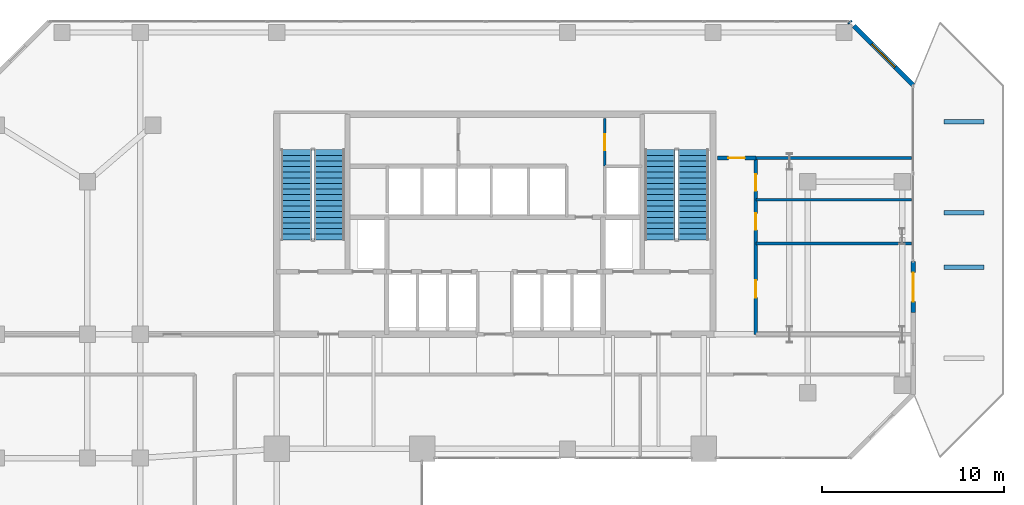
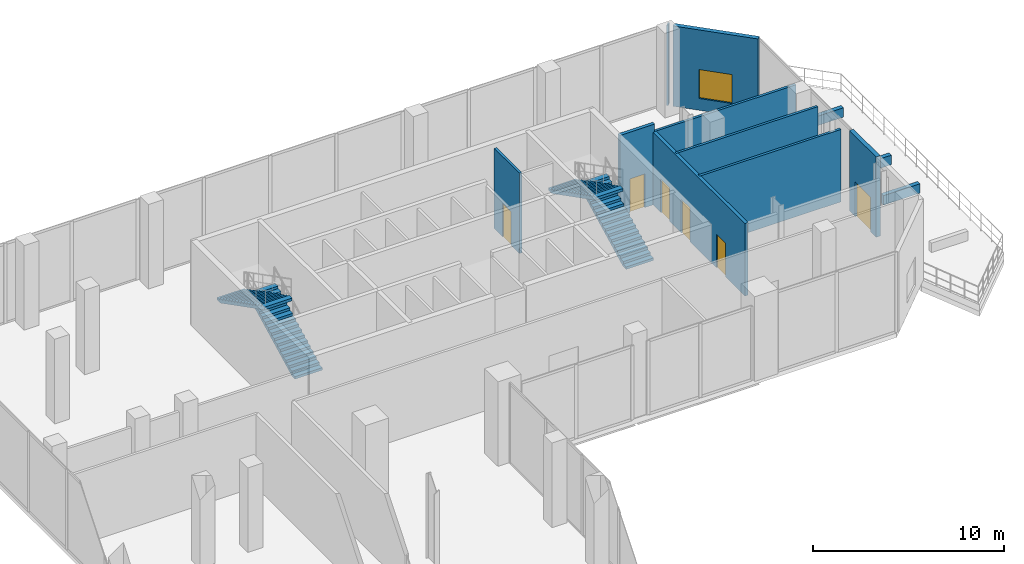
# One storey, part 22 of 24: 12 walls, 6 doors, 4 stair flights, 1 window, 7 openings, 2 elements without a shape of their own.
"""IFC4 building model written with IfcOpenShell, lengths in metres."""

from ifc_helpers import new_model, si_unit, direction, frame, frame_2d, origin, place, context, subcontext, project, spatial, polyline, rectangle, outline, extrude, material, layer, layer_set, type_object, element, fill, aggregate, save


model = new_model("IFC4")

# Units and contexts
model_context = context("Model", 3, precision=1e-05, world=origin(), true_north=direction((0.0, 1.0)))
body_context = subcontext(model_context, "Body", "Model", "MODEL_VIEW")
ifc_project = project(units=[si_unit("LENGTHUNIT", "METRE"), si_unit("AREAUNIT", "SQUARE_METRE"), si_unit("VOLUMEUNIT", "CUBIC_METRE"), si_unit("PLANEANGLEUNIT", "RADIAN"), si_unit("MASSUNIT", "GRAM", prefix="KILO")], contexts=[model_context])

# Site, building, storey
site_placement = place(None, origin())
site = spatial("IfcSite", under=ifc_project, at=site_placement, CompositionType="ELEMENT")
building_placement = place(site_placement, origin())
building = spatial("IfcBuilding", under=site, at=building_placement, Name="Catumbela Crestline Tower", CompositionType="ELEMENT")
storey_placement = place(building_placement, frame((0.0, 0.0, 84.6)))
storey = spatial("IfcBuildingStorey", under=building, at=storey_placement, Name="L21", CompositionType="ELEMENT", Elevation=84.6)

# Wall, openings, doors
ifc_material_1 = material(Name="Acoustic gypsum and mineral-wool partition")
ifc_layer_1 = layer(ifc_material_1, 0.2, Name="Acoustic gypsum and mineral-wool partition")
ifc_layer_set_1 = layer_set([ifc_layer_1], Name="Acoustic gypsum and mineral-wool partition")
wall_type_1 = type_object("IfcWallType", Name="WC-200", PredefinedType="PARTITIONING", material=ifc_layer_set_1)
wall_1_placement = place(storey_placement, frame((42.35, 30.8, 0.0), z_axis=(0.0, 0.0, 1.0), x_axis=(0.0, 1.0, 0.0)))
wall_1 = element("IfcWall", 1, at=wall_1_placement, inside=storey, type_object=wall_type_1, Name="L21 Interior Partition PW-L21-ELNG", PredefinedType="PARTITIONING", context=body_context, shape_type="SweptSolid", body=[
    extrude(rectangle(XDim=9.7, YDim=0.2, at=frame_2d((4.85, 0.0))), origin(), (0.0, 0.0, 1.0), 4.63),
])
opening_1_placement = place(wall_1_placement, frame((2.025, 0.0, 0.0)))
opening_1 = element("IfcOpeningElement", 2, at=opening_1_placement, cuts=wall_1, Name="Opening DF6-095", PredefinedType="OPENING", context=body_context, shape_type="SweptSolid", body=[
    extrude(rectangle(XDim=0.95, YDim=2.15, at=frame_2d((0.475, 1.075))), frame((0.0, 0.11, 0.0), z_axis=(0.0, -1.0, 0.0), x_axis=(1.0, 0.0, 0.0)), (0.0, 0.0, 1.0), 0.22),
])
opening_2_placement = place(wall_1_placement, frame((5.75, 0.0, 0.0)))
opening_2 = element("IfcOpeningElement", 3, at=opening_2_placement, cuts=wall_1, Name="Opening DI-090", PredefinedType="OPENING", context=body_context, shape_type="SweptSolid", body=[
    extrude(rectangle(XDim=0.9, YDim=2.15, at=frame_2d((0.45, 1.075))), frame((0.0, 0.11, 0.0), z_axis=(0.0, -1.0, 0.0), x_axis=(1.0, 0.0, 0.0)), (0.0, 0.0, 1.0), 0.22),
])
opening_3_placement = place(wall_1_placement, frame((7.8933, 0.0, 0.0)))
opening_3 = element("IfcOpeningElement", 4, at=opening_3_placement, cuts=wall_1, Name="Opening DI-090", PredefinedType="OPENING", context=body_context, shape_type="SweptSolid", body=[
    extrude(rectangle(XDim=0.9, YDim=2.15, at=frame_2d((0.45, 1.075))), frame((0.0, 0.11, 0.0), z_axis=(0.0, -1.0, 0.0), x_axis=(1.0, 0.0, 0.0)), (0.0, 0.0, 1.0), 0.22),
])
ifc_material_2 = material(Name="Aluminium alloy AW-6060-T66", Category="aluminium")
door_type_1 = type_object("IfcDoorType", Name="DF6-095", OperationType="NOTDEFINED", PredefinedType="DOOR", material=ifc_material_2)
door_1_placement = place(opening_1_placement, origin())
door_1 = element("IfcDoor", 5, at=door_1_placement, inside=storey, type_object=door_type_1, Name="L21 Interior Door DR-L21-ELNG", OperationType="SINGLE_SWING_RIGHT", OverallHeight=2.15, OverallWidth=0.95, PredefinedType="DOOR", context=body_context, shape_type="SweptSolid", body=[
    extrude(rectangle(XDim=0.95, YDim=2.15, at=frame_2d((0.475, 1.075))), frame((0.0, 0.025, 0.0), z_axis=(0.0, -1.0, 0.0), x_axis=(1.0, 0.0, 0.0)), (0.0, 0.0, 1.0), 0.05),
])
fill(opening_1, door_1)
door_type_2 = type_object("IfcDoorType", Name="DI-090", OperationType="NOTDEFINED", PredefinedType="DOOR", material=ifc_material_2)
door_2_placement = place(opening_2_placement, origin())
door_2 = element("IfcDoor", 6, at=door_2_placement, inside=storey, type_object=door_type_2, Name="L21 Interior Door DR-L21-WC", OperationType="SINGLE_SWING_RIGHT", OverallHeight=2.15, OverallWidth=0.9, PredefinedType="DOOR", context=body_context, shape_type="SweptSolid", body=[
    extrude(rectangle(XDim=0.9, YDim=2.15, at=frame_2d((0.45, 1.075))), frame((0.0, 0.025, 0.0), z_axis=(0.0, -1.0, 0.0), x_axis=(1.0, 0.0, 0.0)), (0.0, 0.0, 1.0), 0.05),
])
fill(opening_2, door_2)
door_3_placement = place(opening_3_placement, origin())
door_3 = element("IfcDoor", 7, at=door_3_placement, inside=storey, type_object=door_type_2, Name="L21 Interior Door DR-L21-AWC", OperationType="SINGLE_SWING_RIGHT", OverallHeight=2.15, OverallWidth=0.9, PredefinedType="DOOR", context=body_context, shape_type="SweptSolid", body=[
    extrude(rectangle(XDim=0.9, YDim=2.15, at=frame_2d((0.45, 1.075))), frame((0.0, 0.025, 0.0), z_axis=(0.0, -1.0, 0.0), x_axis=(1.0, 0.0, 0.0)), (0.0, 0.0, 1.0), 0.05),
])
fill(opening_3, door_3)

# Wall, opening, door
wall_2_placement = place(storey_placement, frame((40.25, 40.5, 0.0), z_axis=(0.0, 0.0, 1.0), x_axis=(1.0, 0.0, 0.0)))
wall_2 = element("IfcWall", 8, at=wall_2_placement, inside=storey, type_object=wall_type_1, Name="L21 Interior Partition PW-L21-SKSTO", PredefinedType="PARTITIONING", context=body_context, shape_type="SweptSolid", body=[
    extrude(rectangle(XDim=2.1, YDim=0.2, at=frame_2d((1.05, 0.0))), origin(), (0.0, 0.0, 1.0), 5.13),
])
opening_4_placement = place(wall_2_placement, frame((0.6, 0.0, 0.0)))
opening_4 = element("IfcOpeningElement", 9, at=opening_4_placement, cuts=wall_2, Name="Opening DF9-090", PredefinedType="OPENING", context=body_context, shape_type="SweptSolid", body=[
    extrude(rectangle(XDim=0.9, YDim=2.15, at=frame_2d((0.45, 1.075))), frame((0.0, 0.11, 0.0), z_axis=(0.0, -1.0, 0.0), x_axis=(1.0, 0.0, 0.0)), (0.0, 0.0, 1.0), 0.22),
])
ifc_material_3 = material(Name="Stainless steel EN 1.4401", Category="steel")
door_type_3 = type_object("IfcDoorType", Name="DF9-090", OperationType="NOTDEFINED", PredefinedType="DOOR", material=ifc_material_3)
door_4_placement = place(opening_4_placement, origin())
door_4 = element("IfcDoor", 10, at=door_4_placement, inside=storey, type_object=door_type_3, Name="L21 Interior Door DR-L21-SKSTO", OperationType="SINGLE_SWING_LEFT", OverallHeight=2.15, OverallWidth=0.9, PredefinedType="DOOR", context=body_context, shape_type="SweptSolid", body=[
    extrude(rectangle(XDim=0.9, YDim=2.15, at=frame_2d((0.45, 1.075))), frame((0.0, 0.025, 0.0), z_axis=(0.0, -1.0, 0.0), x_axis=(1.0, 0.0, 0.0)), (0.0, 0.0, 1.0), 0.05),
])
fill(opening_4, door_4)

ifc_material_4 = material(Name="Angolan grey-ochre granite", Category="masonry")
ifc_layer_2 = layer(ifc_material_4, 0.25, Name="Angolan grey-ochre granite")
ifc_layer_set_2 = layer_set([ifc_layer_2], Name="Angolan grey-ochre granite")
wall_type_2 = type_object("IfcWallType", Name="WE-250", PredefinedType="STANDARD", material=ifc_layer_set_2)
wall_3_placement = place(storey_placement, frame((51.0, 32.0, 0.0), z_axis=(0.0, 0.0, 1.0), x_axis=(0.0, 1.0, 0.0)))
wall_3 = element("IfcWall", 11, at=wall_3_placement, inside=storey, type_object=wall_type_2, Name="L21 Exterior Threshold Portal Wall DR-L21-TER-E", PredefinedType="STANDARD", context=body_context, shape_type="SweptSolid", body=[
    extrude(rectangle(XDim=2.8, YDim=0.25, at=frame_2d((1.4, 0.0))), origin(), (0.0, 0.0, 1.0), 5.13),
])
opening_5_placement = place(wall_3_placement, frame((0.6, 0.0, 0.0)))
opening_5 = element("IfcOpeningElement", 12, at=opening_5_placement, cuts=wall_3, Name="Opening DT-02", PredefinedType="OPENING", context=body_context, shape_type="SweptSolid", body=[
    extrude(rectangle(XDim=1.6, YDim=2.2, at=frame_2d((0.8, 1.1))), frame((0.0, 0.135, 0.0), z_axis=(0.0, -1.0, 0.0), x_axis=(1.0, 0.0, 0.0)), (0.0, 0.0, 1.0), 0.27),
])
door_type_4 = type_object("IfcDoorType", Name="DT-1600", OperationType="NOTDEFINED", PredefinedType="DOOR", material=ifc_material_2)
door_5_placement = place(opening_5_placement, origin())
door_5 = element("IfcDoor", 13, at=door_5_placement, inside=storey, type_object=door_type_4, Name="L21 East Sky-Garden Terrace Door", OperationType="DOUBLE_DOOR_SINGLE_SWING", OverallHeight=2.2, OverallWidth=1.6, PredefinedType="DOOR", context=body_context, shape_type="SweptSolid", body=[
    extrude(rectangle(XDim=1.6, YDim=2.2, at=frame_2d((0.8, 1.1))), frame((0.0, 0.025, 0.0), z_axis=(0.0, -1.0, 0.0), x_axis=(1.0, 0.0, 0.0)), (0.0, 0.0, 1.0), 0.05),
])
fill(opening_5, door_5)

# Wall, opening, window
wall_4_placement = place(storey_placement, frame((51.0, 44.5, 0.0), z_axis=(0.0, 0.0, 1.0), x_axis=(-0.707106781187, 0.707106781187, 0.0)))
wall_4 = element("IfcWall", 14, at=wall_4_placement, inside=storey, type_object=wall_type_2, Name="L21 Granite Punched Window Wall 6-1", PredefinedType="STANDARD", context=body_context, shape_type="SweptSolid", body=[
    extrude(rectangle(XDim=4.6126, YDim=0.25, at=frame_2d((2.3063, 0.0))), origin(), (0.0, 0.0, 1.0), 5.13),
])
opening_6_placement = place(wall_4_placement, frame((1.4063, 0.0, 0.75)))
opening_6 = element("IfcOpeningElement", 15, at=opening_6_placement, cuts=wall_4, Name="Opening WN-01", PredefinedType="OPENING", context=body_context, shape_type="SweptSolid", body=[
    extrude(rectangle(XDim=1.8, YDim=1.85, at=frame_2d((0.9, 0.925))), frame((0.0, 0.135, 0.0), z_axis=(0.0, -1.0, 0.0), x_axis=(1.0, 0.0, 0.0)), (0.0, 0.0, 1.0), 0.27),
])
ifc_material_5 = material(Name="Low-E laminated solar-control double glazing", Category="glass")
window_type = type_object("IfcWindowType", Name="WF-1800", PartitioningType="SINGLE_PANEL", PredefinedType="WINDOW", material=ifc_material_5)
window_placement = place(opening_6_placement, origin())
window = element("IfcWindow", 16, at=window_placement, inside=storey, type_object=window_type, Name="L21 Facade Vision Window 127", OverallHeight=1.85, OverallWidth=1.8, PartitioningType="SINGLE_PANEL", PredefinedType="WINDOW", context=body_context, shape_type="SweptSolid", body=[
    extrude(rectangle(XDim=1.8, YDim=1.85, at=frame_2d((0.9, 0.925))), frame((0.0, 0.03, 0.0), z_axis=(0.0, -1.0, 0.0), x_axis=(1.0, 0.0, 0.0)), (0.0, 0.0, 1.0), 0.06),
])
fill(opening_6, window)

# Wall
wall_5_placement = place(storey_placement, frame((47.5616, 47.9384, 0.0), z_axis=(0.0, 0.0, 1.0), x_axis=(-0.707106781187, 0.707106781187, 0.0)))
element("IfcWall", 17, at=wall_5_placement, inside=storey, type_object=wall_type_2, Name="L21 Granite Punched Window Wall 6-2", PredefinedType="STANDARD", context=body_context, shape_type="SweptSolid", body=[
    extrude(rectangle(XDim=0.0871, YDim=0.25, at=frame_2d((0.0436, 0.0))), origin(), (0.0, 0.0, 1.0), 5.13),
])

# Wall, opening, door
ifc_layer_3 = layer(ifc_material_1, 0.15, Name="Acoustic gypsum and mineral-wool partition")
ifc_layer_set_3 = layer_set([ifc_layer_3], Name="Acoustic gypsum and mineral-wool partition")
wall_type_3 = type_object("IfcWallType", Name="WP-150", PredefinedType="PARTITIONING", material=ifc_layer_set_3)
wall_6_placement = place(storey_placement, frame((34.05, 40.05, 0.0), z_axis=(0.0, 0.0, 1.0), x_axis=(0.0, 1.0, 0.0)))
wall_6 = element("IfcWall", 18, at=wall_6_placement, inside=storey, type_object=wall_type_3, Name="L21 Interior Partition PW-L21-CR-EW", PredefinedType="PARTITIONING", context=body_context, shape_type="SweptSolid", body=[
    extrude(rectangle(XDim=2.63, YDim=0.15, at=frame_2d((1.315, 0.0))), origin(), (0.0, 0.0, 1.0), 5.13),
])
opening_7_placement = place(wall_6_placement, frame((0.865, 0.0, 0.0)))
opening_7 = element("IfcOpeningElement", 19, at=opening_7_placement, cuts=wall_6, Name="Opening DF9-090", PredefinedType="OPENING", context=body_context, shape_type="SweptSolid", body=[
    extrude(rectangle(XDim=0.9, YDim=2.15, at=frame_2d((0.45, 1.075))), frame((0.0, 0.085, 0.0), z_axis=(0.0, -1.0, 0.0), x_axis=(1.0, 0.0, 0.0)), (0.0, 0.0, 1.0), 0.17),
])
door_6_placement = place(opening_7_placement, origin())
door_6 = element("IfcDoor", 20, at=door_6_placement, inside=storey, type_object=door_type_3, Name="L21 Interior Door DR-L21-CREAST", OperationType="SINGLE_SWING_RIGHT", OverallHeight=2.15, OverallWidth=0.9, PredefinedType="DOOR", context=body_context, shape_type="SweptSolid", body=[
    extrude(rectangle(XDim=0.9, YDim=2.15, at=frame_2d((0.45, 1.075))), frame((0.0, 0.025, 0.0), z_axis=(0.0, -1.0, 0.0), x_axis=(1.0, 0.0, 0.0)), (0.0, 0.0, 1.0), 0.05),
])
fill(opening_7, door_6)

# Walls
for number, where, z_axis, x_axis, name in (
    (21, (42.35, 35.8, 0.0), (0.0, 0.0, 1.0), (1.0, 0.0, 0.0), "L21 Interior Partition PW-L21-ELNGN"),
    (22, (42.35, 38.2, 0.0), (0.0, 0.0, 1.0), (1.0, 0.0, 0.0), "L21 Interior Partition PW-L21-WCM"),
    (23, (42.35, 40.5, 0.0), (0.0, 0.0, 1.0), (1.0, 0.0, 0.0), "L21 Interior Partition PW-L21-WCN"),
):
    element("IfcWall", number, at=place(storey_placement, frame(where, z_axis=z_axis, x_axis=x_axis)), inside=storey, type_object=wall_type_3, Name=name, PredefinedType="PARTITIONING", context=body_context, shape_type="SweptSolid", body=[
        extrude(rectangle(XDim=8.55, YDim=0.15, at=frame_2d((4.275, 0.0))), origin(), (0.0, 0.0, 1.0), 4.63),
    ])
ifc_material_6 = material(Name="Concrete C40/50", Category="concrete")
ifc_layer_4 = layer(ifc_material_6, 0.25, Name="Concrete C40/50")
ifc_layer_set_4 = layer_set([ifc_layer_4], Name="Concrete C40/50")
wall_type_4 = type_object("IfcWallType", Name="WPL-250", PredefinedType="USERDEFINED", material=ifc_layer_set_4)
for number, where, z_axis, x_axis, name in (
    (24, (52.7, 34.5, -0.02), (0.0, 0.0, 1.0), (1.0, 0.0, 0.0), "L21 Planted Sky-Garden GRC Planter Kerb 6"),
    (25, (52.7, 37.5, -0.02), (0.0, 0.0, 1.0), (1.0, 0.0, 0.0), "L21 Planted Sky-Garden GRC Planter Kerb 7"),
    (26, (52.7, 42.5, -0.02), (0.0, 0.0, 1.0), (1.0, 0.0, 0.0), "L21 Planted Sky-Garden GRC Planter Kerb 8"),
):
    element("IfcWall", number, at=place(storey_placement, frame(where, z_axis=z_axis, x_axis=x_axis)), inside=storey, type_object=wall_type_4, Name=name, ObjectType="PLANTER", PredefinedType="USERDEFINED", context=body_context, shape_type="SweptSolid", body=[
        extrude(rectangle(XDim=2.2, YDim=0.25, at=frame_2d((1.1, 0.0))), origin(), (0.0, 0.0, 1.0), 0.6),
    ])

# Stair, stair flights
ifc_material_7 = material(Name="Concrete C45/55", Category="concrete")
stair_type = type_object("IfcStairType", Name="ST-DLG", PredefinedType="HALF_TURN_STAIR", material=ifc_material_7)
stair_1_placement = place(storey_placement, origin())
stair_1 = element("IfcStair", 27, at=stair_1_placement, inside=storey, type_object=stair_type, Name="L21 West Core Pressurised Exit Stair ST-01", PredefinedType="HALF_TURN_STAIR")
stair_flight_type = type_object("IfcStairFlightType", Name="SF-1588", PredefinedType="STRAIGHT", material=ifc_material_7)
stair_flight_1_placement = place(storey_placement, frame((18.92, 36.0, 0.0), z_axis=(0.0, 0.0, 1.0), x_axis=(0.0, 1.0, 0.0)))
stair_flight_1 = element("IfcStairFlight", 28, at=stair_flight_1_placement, type_object=stair_flight_type, Name="ST-01 flight 1", NumberOfRisers=17, NumberOfTreads=16, PredefinedType="STRAIGHT", RiserHeight=0.158823529, TreadLength=0.31, context=body_context, shape_type="SweptSolid", body=[
    extrude(outline(polyline([(0.0, 0.0), (0.0, 0.1588), (0.31, 0.1588), (0.31, 0.3176), (0.62, 0.3176), (0.62, 0.4765), (0.93, 0.4765), (0.93, 0.6353), (1.24, 0.6353), (1.24, 0.7941), (1.55, 0.7941), (1.55, 0.9529), (1.86, 0.9529), (1.86, 1.1118), (2.17, 1.1118), (2.17, 1.2706), (2.48, 1.2706), (2.48, 1.4294), (2.79, 1.4294), (2.79, 1.5882), (3.1, 1.5882), (3.1, 1.7471), (3.41, 1.7471), (3.41, 1.9059), (3.72, 1.9059), (3.72, 2.0647), (4.03, 2.0647), (4.03, 2.2235), (4.34, 2.2235), (4.34, 2.3824), (4.65, 2.3824), (4.65, 2.5412), (4.96, 2.5412), (4.96, 2.7), (4.96, 2.3614), (0.3509, 0.0), (0.0, 0.0)])), frame((0.0, 0.83, 0.0), z_axis=(0.0, -1.0, 0.0), x_axis=(1.0, 0.0, 0.0)), (0.0, 0.0, 1.0), 1.66),
])
stair_flight_2_placement = place(storey_placement, frame((17.08, 40.96, 2.7), z_axis=(0.0, 0.0, 1.0), x_axis=(0.0, -1.0, 0.0)))
stair_flight_2 = element("IfcStairFlight", 29, at=stair_flight_2_placement, type_object=stair_flight_type, Name="ST-01 flight 2", NumberOfRisers=17, NumberOfTreads=16, PredefinedType="STRAIGHT", RiserHeight=0.158823529, TreadLength=0.31, context=body_context, shape_type="SweptSolid", body=[
    extrude(outline(polyline([(0.0, 0.0), (0.0, 0.1588), (0.31, 0.1588), (0.31, 0.3176), (0.62, 0.3176), (0.62, 0.4765), (0.93, 0.4765), (0.93, 0.6353), (1.24, 0.6353), (1.24, 0.7941), (1.55, 0.7941), (1.55, 0.9529), (1.86, 0.9529), (1.86, 1.1118), (2.17, 1.1118), (2.17, 1.2706), (2.48, 1.2706), (2.48, 1.4294), (2.79, 1.4294), (2.79, 1.5882), (3.1, 1.5882), (3.1, 1.7471), (3.41, 1.7471), (3.41, 1.9059), (3.72, 1.9059), (3.72, 2.0647), (4.03, 2.0647), (4.03, 2.2235), (4.34, 2.2235), (4.34, 2.3824), (4.65, 2.3824), (4.65, 2.5412), (4.96, 2.5412), (4.96, 2.7), (4.96, 2.3614), (0.3509, 0.0), (0.0, 0.0)])), frame((0.0, 0.83, 0.0), z_axis=(0.0, -1.0, 0.0), x_axis=(1.0, 0.0, 0.0)), (0.0, 0.0, 1.0), 1.66),
])
aggregate(stair_1, [stair_flight_1, stair_flight_2])

stair_2_placement = place(storey_placement, origin())
stair_2 = element("IfcStair", 30, at=stair_2_placement, inside=storey, type_object=stair_type, Name="L21 East Core Pressurised Exit Stair ST-02", PredefinedType="HALF_TURN_STAIR")
stair_flight_3_placement = place(storey_placement, frame((38.92, 36.0, 0.0), z_axis=(0.0, 0.0, 1.0), x_axis=(0.0, 1.0, 0.0)))
stair_flight_3 = element("IfcStairFlight", 31, at=stair_flight_3_placement, type_object=stair_flight_type, Name="ST-02 flight 1", NumberOfRisers=17, NumberOfTreads=16, PredefinedType="STRAIGHT", RiserHeight=0.158823529, TreadLength=0.31, context=body_context, shape_type="SweptSolid", body=[
    extrude(outline(polyline([(0.0, 0.0), (0.0, 0.1588), (0.31, 0.1588), (0.31, 0.3176), (0.62, 0.3176), (0.62, 0.4765), (0.93, 0.4765), (0.93, 0.6353), (1.24, 0.6353), (1.24, 0.7941), (1.55, 0.7941), (1.55, 0.9529), (1.86, 0.9529), (1.86, 1.1118), (2.17, 1.1118), (2.17, 1.2706), (2.48, 1.2706), (2.48, 1.4294), (2.79, 1.4294), (2.79, 1.5882), (3.1, 1.5882), (3.1, 1.7471), (3.41, 1.7471), (3.41, 1.9059), (3.72, 1.9059), (3.72, 2.0647), (4.03, 2.0647), (4.03, 2.2235), (4.34, 2.2235), (4.34, 2.3824), (4.65, 2.3824), (4.65, 2.5412), (4.96, 2.5412), (4.96, 2.7), (4.96, 2.3614), (0.3509, 0.0), (0.0, 0.0)])), frame((0.0, 0.83, 0.0), z_axis=(0.0, -1.0, 0.0), x_axis=(1.0, 0.0, 0.0)), (0.0, 0.0, 1.0), 1.66),
])
stair_flight_4_placement = place(storey_placement, frame((37.08, 40.96, 2.7), z_axis=(0.0, 0.0, 1.0), x_axis=(0.0, -1.0, 0.0)))
stair_flight_4 = element("IfcStairFlight", 32, at=stair_flight_4_placement, type_object=stair_flight_type, Name="ST-02 flight 2", NumberOfRisers=17, NumberOfTreads=16, PredefinedType="STRAIGHT", RiserHeight=0.158823529, TreadLength=0.31, context=body_context, shape_type="SweptSolid", body=[
    extrude(outline(polyline([(0.0, 0.0), (0.0, 0.1588), (0.31, 0.1588), (0.31, 0.3176), (0.62, 0.3176), (0.62, 0.4765), (0.93, 0.4765), (0.93, 0.6353), (1.24, 0.6353), (1.24, 0.7941), (1.55, 0.7941), (1.55, 0.9529), (1.86, 0.9529), (1.86, 1.1118), (2.17, 1.1118), (2.17, 1.2706), (2.48, 1.2706), (2.48, 1.4294), (2.79, 1.4294), (2.79, 1.5882), (3.1, 1.5882), (3.1, 1.7471), (3.41, 1.7471), (3.41, 1.9059), (3.72, 1.9059), (3.72, 2.0647), (4.03, 2.0647), (4.03, 2.2235), (4.34, 2.2235), (4.34, 2.3824), (4.65, 2.3824), (4.65, 2.5412), (4.96, 2.5412), (4.96, 2.7), (4.96, 2.3614), (0.3509, 0.0), (0.0, 0.0)])), frame((0.0, 0.83, 0.0), z_axis=(0.0, -1.0, 0.0), x_axis=(1.0, 0.0, 0.0)), (0.0, 0.0, 1.0), 1.66),
])
aggregate(stair_2, [stair_flight_3, stair_flight_4])

save(model, "model.ifc")
